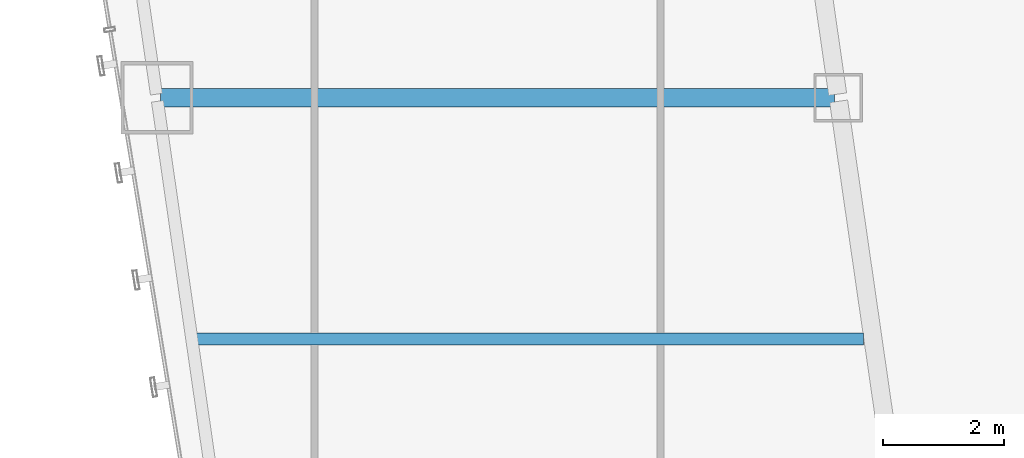
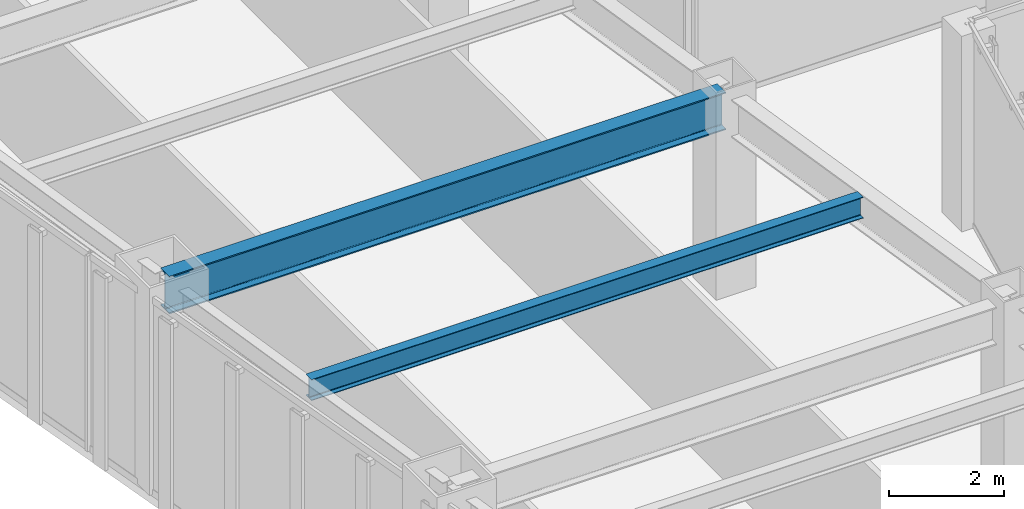
# One storey, part 6 of 49: 2 beams.
"""IFC4 building model written with IfcOpenShell, lengths in metres."""

from ifc_helpers import new_model, si_unit, direction, frame, origin, origin_2d, place, context, subcontext, project, spatial, i_section, extrude, material, material_profile, profile_set, type_object, element, save


model = new_model("IFC4")

# Units and contexts
model_context = context("Model", 3, precision=1e-05, world=origin(), true_north=direction((0.0, 1.0)))
body_context = subcontext(model_context, "Body", "Model", "MODEL_VIEW")
ifc_project = project(units=[si_unit("LENGTHUNIT", "METRE"), si_unit("AREAUNIT", "SQUARE_METRE"), si_unit("VOLUMEUNIT", "CUBIC_METRE"), si_unit("PLANEANGLEUNIT", "RADIAN"), si_unit("MASSUNIT", "GRAM", prefix="KILO")], contexts=[model_context])

# Site, building, storey
site_placement = place(None, origin())
site = spatial("IfcSite", under=ifc_project, at=site_placement, CompositionType="ELEMENT")
building_placement = place(site_placement, origin())
building = spatial("IfcBuilding", under=site, at=building_placement, Name="Saevonmaru Cultural Tower", CompositionType="ELEMENT")
storey_placement = place(building_placement, frame((0.0, 0.0, 73.60009765625)))
storey = spatial("IfcBuildingStorey", under=building, at=storey_placement, Name="L15", CompositionType="ELEMENT", Elevation=73.60009765625)

# Beams
ifc_material_1 = material(Name="Steel SM420", Category="steel")
ifc_material_profile_1 = material_profile(ifc_material_1, i_section(OverallWidth=0.300048828125, OverallDepth=0.800048828125, WebThickness=0.013916015625, FlangeThickness=0.02587890625, FilletRadius=0.028076171875, at=origin_2d()), Name="H-800x300x14x26")
ifc_profile_set_1 = profile_set([ifc_material_profile_1], Name="Steel SM420")
beam_type_1 = type_object("IfcBeamType", Name="BM-G-H800", PredefinedType="BEAM", material=ifc_profile_set_1)
beam_1_placement = place(storey_placement, frame((10.68798828125, 16.0, 3.75), z_axis=(1.0, 0.0, 0.0), x_axis=(0.0, 1.0, 0.0)))
element("IfcBeam", 1, at=beam_1_placement, inside=storey, type_object=beam_type_1, Name="L15 West Wing Transverse Girder 3", PredefinedType="BEAM", context=body_context, shape_type="SweptSolid", body=[
    extrude(i_section(OverallWidth=0.300048828125, OverallDepth=0.800048828125, WebThickness=0.013916015625, FlangeThickness=0.02587890625, FilletRadius=0.028076171875, at=origin_2d()), origin(), (0.0, 0.0, 1.0), 11.179931640625),
])
ifc_material_2 = material(Name="Steel SM355", Category="steel")
ifc_material_profile_2 = material_profile(ifc_material_2, i_section(OverallWidth=0.199951171875, OverallDepth=0.449951171875, WebThickness=0.009033203125, FlangeThickness=0.013916015625, FilletRadius=0.01806640625, at=origin_2d()), Name="H-450x200x9x14")
ifc_profile_set_2 = profile_set([ifc_material_profile_2], Name="Steel SM355")
beam_type_2 = type_object("IfcBeamType", Name="BM-J-H450", PredefinedType="JOIST", material=ifc_profile_set_2)
beam_2_placement = place(storey_placement, frame((11.265380859375, 12.0, 3.9248046875), z_axis=(1.0, 0.0, 0.0), x_axis=(0.0, 1.0, 0.0)))
element("IfcBeam", 2, at=beam_2_placement, inside=storey, type_object=beam_type_2, Name="L15 West Wing Floor Joist 2", PredefinedType="JOIST", context=body_context, shape_type="SweptSolid", body=[
    extrude(i_section(OverallWidth=0.199951171875, OverallDepth=0.449951171875, WebThickness=0.009033203125, FlangeThickness=0.013916015625, FilletRadius=0.01806640625, at=origin_2d()), origin(), (0.0, 0.0, 1.0), 11.08203125),
])

save(model, "model.ifc")
